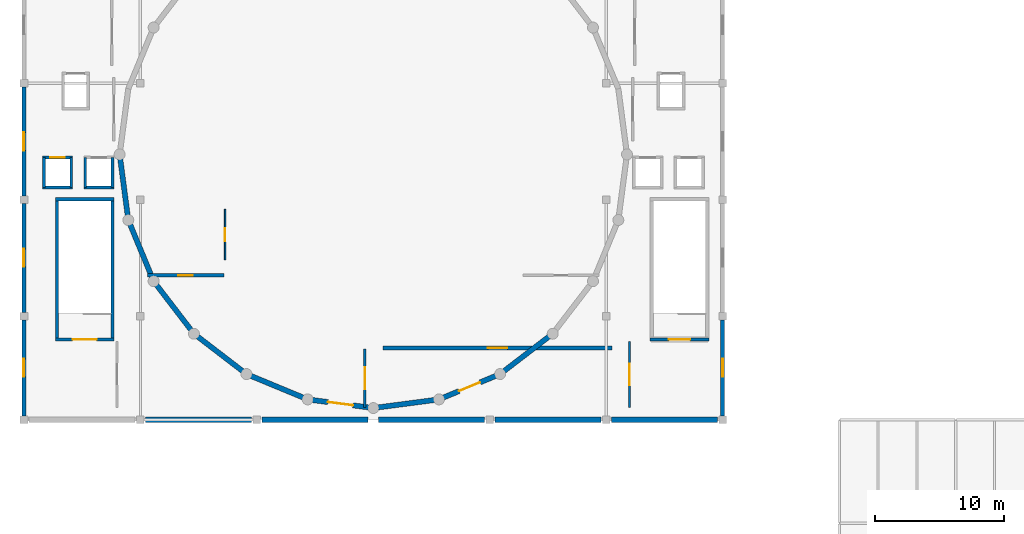
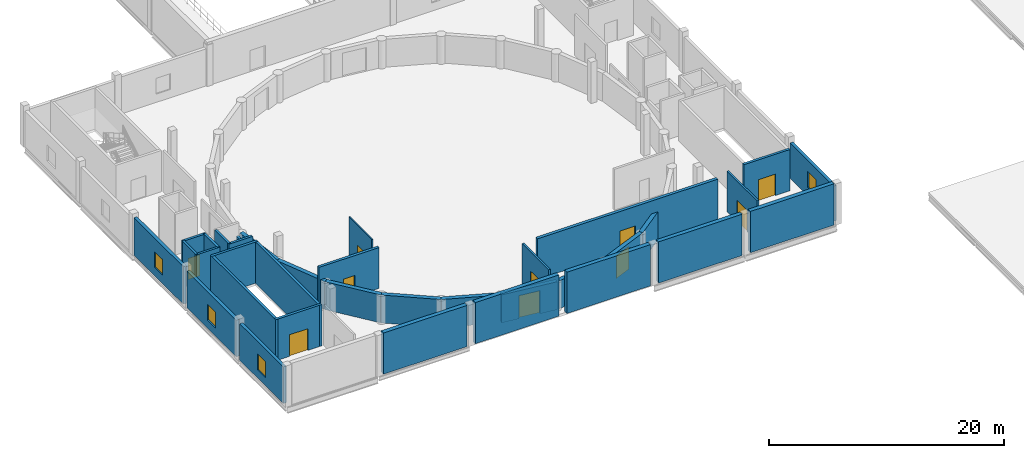
# One storey, part 4 of 10: 35 walls, 10 doors, 4 windows, 14 openings.
"""IFC4 building model written with IfcOpenShell, lengths in metres."""

from ifc_helpers import new_model, si_unit, direction, frame, frame_2d, origin, place, context, subcontext, project, spatial, rectangle, extrude, material, layer, layer_set, type_object, element, fill, save


model = new_model("IFC4")

# Units and contexts
model_context = context("Model", 3, precision=1e-05, world=origin(), true_north=direction((0.0, 1.0)))
body_context = subcontext(model_context, "Body", "Model", "MODEL_VIEW")
ifc_project = project(units=[si_unit("LENGTHUNIT", "METRE"), si_unit("AREAUNIT", "SQUARE_METRE"), si_unit("VOLUMEUNIT", "CUBIC_METRE"), si_unit("PLANEANGLEUNIT", "RADIAN"), si_unit("MASSUNIT", "GRAM", prefix="KILO")], contexts=[model_context])

# Site, building, storey
site_placement = place(None, origin())
site = spatial("IfcSite", under=ifc_project, at=site_placement, CompositionType="ELEMENT")
building_placement = place(site_placement, origin())
building = spatial("IfcBuilding", under=site, at=building_placement, Name="Marnock Terrace Opera House", CompositionType="ELEMENT")
storey_placement = place(building_placement, frame((0.0, 0.0, 23.699951171875)))
storey = spatial("IfcBuildingStorey", under=building, at=storey_placement, Name="L05", CompositionType="ELEMENT", Elevation=23.699951171875)

# Wall, opening, window
ifc_material_1 = material(Name="Basket Range sandstone ashlar masonry", Category="masonry")
ifc_layer_1 = layer(ifc_material_1, 0.31005859375)
ifc_layer_set_1 = layer_set([ifc_layer_1], Name="Basket Range sandstone ashlar masonry")
wall_type_1 = type_object("IfcWallType", Name="EW-ATTIC-310", PredefinedType="SOLIDWALL", material=ifc_layer_set_1)
wall_1_placement = place(storey_placement, frame((55.0, 40.2958984375, 0.0), z_axis=(0.0, 0.0, 1.0), x_axis=(0.0, 1.0, 0.0)))
wall_1 = element("IfcWall", 1, at=wall_1_placement, inside=storey, type_object=wall_type_1, Name="L05 Drum block W wall", PredefinedType="SOLIDWALL", context=body_context, shape_type="SweptSolid", body=[
    extrude(rectangle(XDim=7.408203125, YDim=0.31005859375, at=frame_2d((3.7041015625, 0.0))), origin(), (0.0, 0.0, 1.0), 3.792724609375),
])
opening_1_placement = place(wall_1_placement, frame((3.00390625, 0.0, 0.85009765625)))
opening_1 = element("IfcOpeningElement", 2, at=opening_1_placement, cuts=wall_1, Name="Opening WT-138", PredefinedType="OPENING", context=body_context, shape_type="SweptSolid", body=[
    extrude(rectangle(XDim=1.39990234375, YDim=1.64990234375, at=frame_2d((0.699951171875, 0.824951171875))), frame((0.0, 0.1650390625, 0.0), z_axis=(0.0, -1.0, 0.0), x_axis=(1.0, 0.0, 0.0)), (0.0, 0.0, 1.0), 0.330078125),
])
ifc_material_2 = material(Name="Double-glazed acoustic low-E laminated glass", Category="glass")
window_type = type_object("IfcWindowType", Name="WT-ATTIC-1400", PartitioningType="SINGLE_PANEL", PredefinedType="WINDOW", material=ifc_material_2)
window_1_placement = place(opening_1_placement, origin())
window_1 = element("IfcWindow", 3, at=window_1_placement, inside=storey, type_object=window_type, Name="L05 facade window EW-V1W-L05-40.1", OverallHeight=1.64990234375, OverallWidth=1.39990234375, PartitioningType="SINGLE_PANEL", PredefinedType="WINDOW", context=body_context, shape_type="SweptSolid", body=[
    extrude(rectangle(XDim=1.39990234375, YDim=1.64990234375, at=frame_2d((0.699951171875, 0.824951171875))), frame((0.0, 0.030029296875, 0.0), z_axis=(0.0, -1.0, 0.0), x_axis=(1.0, 0.0, 0.0)), (0.0, 0.0, 1.0), 0.06005859375),
])
fill(opening_1, window_1)

wall_2_placement = place(storey_placement, frame((109.0, 40.2958984375, 0.0), z_axis=(0.0, 0.0, 1.0), x_axis=(0.0, 1.0, 0.0)))
wall_2 = element("IfcWall", 4, at=wall_2_placement, inside=storey, type_object=wall_type_1, Name="L05 Drum block E wall", PredefinedType="SOLIDWALL", context=body_context, shape_type="SweptSolid", body=[
    extrude(rectangle(XDim=7.408203125, YDim=0.31005859375, at=frame_2d((3.7041015625, 0.0))), origin(), (0.0, 0.0, 1.0), 3.64794921875),
])
opening_2_placement = place(wall_2_placement, frame((3.00390625, 0.0, 0.85009765625)))
opening_2 = element("IfcOpeningElement", 5, at=opening_2_placement, cuts=wall_2, Name="Opening WT-138", PredefinedType="OPENING", context=body_context, shape_type="SweptSolid", body=[
    extrude(rectangle(XDim=1.39990234375, YDim=1.64990234375, at=frame_2d((0.699951171875, 0.824951171875))), frame((0.0, 0.1650390625, 0.0), z_axis=(0.0, -1.0, 0.0), x_axis=(1.0, 0.0, 0.0)), (0.0, 0.0, 1.0), 0.330078125),
])
window_2_placement = place(opening_2_placement, origin())
window_2 = element("IfcWindow", 6, at=window_2_placement, inside=storey, type_object=window_type, Name="L05 facade window EW-V1E-L05-40.1", OverallHeight=1.64990234375, OverallWidth=1.39990234375, PartitioningType="SINGLE_PANEL", PredefinedType="WINDOW", context=body_context, shape_type="SweptSolid", body=[
    extrude(rectangle(XDim=1.39990234375, YDim=1.64990234375, at=frame_2d((0.699951171875, 0.824951171875))), frame((0.0, 0.030029296875, 0.0), z_axis=(0.0, -1.0, 0.0), x_axis=(1.0, 0.0, 0.0)), (0.0, 0.0, 1.0), 0.06005859375),
])
fill(opening_2, window_2)

wall_3_placement = place(storey_placement, frame((55.0, 48.2958984375, 0.0), z_axis=(0.0, 0.0, 1.0), x_axis=(0.0, 1.0, 0.0)))
wall_3 = element("IfcWall", 7, at=wall_3_placement, inside=storey, type_object=wall_type_1, Name="L05 Drum block W wall", PredefinedType="SOLIDWALL", context=body_context, shape_type="SweptSolid", body=[
    extrude(rectangle(XDim=8.408203125, YDim=0.31005859375, at=frame_2d((4.2041015625, 0.0))), origin(), (0.0, 0.0, 1.0), 3.792724609375),
])
opening_3_placement = place(wall_3_placement, frame((3.50390625, 0.0, 0.85009765625)))
opening_3 = element("IfcOpeningElement", 8, at=opening_3_placement, cuts=wall_3, Name="Opening WT-138", PredefinedType="OPENING", context=body_context, shape_type="SweptSolid", body=[
    extrude(rectangle(XDim=1.39990234375, YDim=1.64990234375, at=frame_2d((0.699951171875, 0.824951171875))), frame((0.0, 0.1650390625, 0.0), z_axis=(0.0, -1.0, 0.0), x_axis=(1.0, 0.0, 0.0)), (0.0, 0.0, 1.0), 0.330078125),
])
window_3_placement = place(opening_3_placement, origin())
window_3 = element("IfcWindow", 9, at=window_3_placement, inside=storey, type_object=window_type, Name="L05 facade window EW-V1W-L05-48.1", OverallHeight=1.64990234375, OverallWidth=1.39990234375, PartitioningType="SINGLE_PANEL", PredefinedType="WINDOW", context=body_context, shape_type="SweptSolid", body=[
    extrude(rectangle(XDim=1.39990234375, YDim=1.64990234375, at=frame_2d((0.699951171875, 0.824951171875))), frame((0.0, 0.030029296875, 0.0), z_axis=(0.0, -1.0, 0.0), x_axis=(1.0, 0.0, 0.0)), (0.0, 0.0, 1.0), 0.06005859375),
])
fill(opening_3, window_3)

wall_4_placement = place(storey_placement, frame((55.0, 57.2958984375, 0.0), z_axis=(0.0, 0.0, 1.0), x_axis=(0.0, 1.0, 0.0)))
wall_4 = element("IfcWall", 10, at=wall_4_placement, inside=storey, type_object=wall_type_1, Name="L05 Drum block W wall", PredefinedType="SOLIDWALL", context=body_context, shape_type="SweptSolid", body=[
    extrude(rectangle(XDim=8.408203125, YDim=0.31005859375, at=frame_2d((4.2041015625, 0.0))), origin(), (0.0, 0.0, 1.0), 3.89453125),
])
opening_4_placement = place(wall_4_placement, frame((3.50390625, 0.0, 0.85009765625)))
opening_4 = element("IfcOpeningElement", 11, at=opening_4_placement, cuts=wall_4, Name="Opening WT-138", PredefinedType="OPENING", context=body_context, shape_type="SweptSolid", body=[
    extrude(rectangle(XDim=1.39990234375, YDim=1.64990234375, at=frame_2d((0.699951171875, 0.824951171875))), frame((0.0, 0.1650390625, 0.0), z_axis=(0.0, -1.0, 0.0), x_axis=(1.0, 0.0, 0.0)), (0.0, 0.0, 1.0), 0.330078125),
])
window_4_placement = place(opening_4_placement, origin())
window_4 = element("IfcWindow", 12, at=window_4_placement, inside=storey, type_object=window_type, Name="L05 facade window EW-V1W-L05-57.1", OverallHeight=1.64990234375, OverallWidth=1.39990234375, PartitioningType="SINGLE_PANEL", PredefinedType="WINDOW", context=body_context, shape_type="SweptSolid", body=[
    extrude(rectangle(XDim=1.39990234375, YDim=1.64990234375, at=frame_2d((0.699951171875, 0.824951171875))), frame((0.0, 0.030029296875, 0.0), z_axis=(0.0, -1.0, 0.0), x_axis=(1.0, 0.0, 0.0)), (0.0, 0.0, 1.0), 0.06005859375),
])
fill(opening_4, window_4)

# Wall, opening, door
ifc_material_3 = material(Name="Double-stud acoustic plasterboard with mineral-wool infill")
ifc_layer_2 = layer(ifc_material_3, 0.294921875)
ifc_layer_set_2 = layer_set([ifc_layer_2], Name="Double-stud acoustic plasterboard with mineral-wool infill")
wall_type_2 = type_object("IfcWallType", Name="IW-ACOUSTIC-295", PredefinedType="PARTITIONING", material=ifc_layer_set_2)
wall_5_placement = place(storey_placement, frame((82.75, 45.550048828125, 0.0), z_axis=(0.0, 0.0, 1.0), x_axis=(1.0, 0.0, 0.0)))
wall_5 = element("IfcWall", 13, at=wall_5_placement, inside=storey, type_object=wall_type_2, Name="L05 Auditorium Displacement AHU Plant Room East acoustic partition wall", PredefinedType="PARTITIONING", context=body_context, shape_type="SweptSolid", body=[
    extrude(rectangle(XDim=17.699951171875, YDim=0.294921875, at=frame_2d((8.85009765625, 0.0))), origin(), (0.0, 0.0, 1.0), 4.22998046875),
])
opening_5_placement = place(wall_5_placement, frame((8.10009765625, 0.0, 0.0)))
opening_5 = element("IfcOpeningElement", 14, at=opening_5_placement, cuts=wall_5, Name="Opening D-L05-06", PredefinedType="OPENING", context=body_context, shape_type="SweptSolid", body=[
    extrude(rectangle(XDim=1.5, YDim=2.199951171875, at=frame_2d((0.75, 1.10009765625))), frame((0.0, 0.157470703125, 0.0), z_axis=(0.0, -1.0, 0.0), x_axis=(1.0, 0.0, 0.0)), (0.0, 0.0, 1.0), 0.31494140625),
])
ifc_material_4 = material(Name="Fire-rated acoustic timber-core door assembly", Category="wood")
door_type_1 = type_object("IfcDoorType", Name="DT-PLANT-1500", OperationType="NOTDEFINED", PredefinedType="DOOR", material=ifc_material_4)
door_1_placement = place(opening_5_placement, origin())
door_1 = element("IfcDoor", 15, at=door_1_placement, inside=storey, type_object=door_type_1, Name="L05 Auditorium Displacement AHU Plant Room East entrance door", OperationType="SINGLE_SWING_RIGHT", OverallHeight=2.199951171875, OverallWidth=1.5, PredefinedType="DOOR", context=body_context, shape_type="SweptSolid", body=[
    extrude(rectangle(XDim=1.5, YDim=2.199951171875, at=frame_2d((0.75, 1.10009765625))), frame((0.0, 0.02490234375, 0.0), z_axis=(0.0, -1.0, 0.0), x_axis=(1.0, 0.0, 0.0)), (0.0, 0.0, 1.0), 0.050048828125),
])
fill(opening_5, door_1)

ifc_material_5 = material(Name="Rendered acoustic concrete blockwork", Category="masonry")
ifc_layer_3 = layer(ifc_material_5, 0.18505859375)
ifc_layer_set_3 = layer_set([ifc_layer_3], Name="Rendered acoustic concrete blockwork")
wall_type_3 = type_object("IfcWallType", Name="IW-FIRE-185", PredefinedType="PARTITIONING", material=ifc_layer_set_3)
wall_6_placement = place(storey_placement, frame((101.800048828125, 40.949951171875, 0.0), z_axis=(0.0, 0.0, 1.0), x_axis=(0.0, 1.0, 0.0)))
wall_6 = element("IfcWall", 16, at=wall_6_placement, inside=storey, type_object=wall_type_3, Name="L05 C2 fire-rated lift and stair lobby wall", PredefinedType="PARTITIONING", context=body_context, shape_type="SweptSolid", body=[
    extrude(rectangle(XDim=5.10009765625, YDim=0.18505859375, at=frame_2d((2.550048828125, 0.0))), origin(), (0.0, 0.0, 1.0), 4.22998046875),
])
opening_6_placement = place(wall_6_placement, frame((1.7099609375, 0.0, 0.0)))
opening_6 = element("IfcOpeningElement", 17, at=opening_6_placement, cuts=wall_6, Name="Opening FD-C2-L05", PredefinedType="OPENING", context=body_context, shape_type="SweptSolid", body=[
    extrude(rectangle(XDim=1.679931640625, YDim=2.25, at=frame_2d((0.83984375, 1.125))), frame((0.0, 0.1025390625, 0.0), z_axis=(0.0, -1.0, 0.0), x_axis=(1.0, 0.0, 0.0)), (0.0, 0.0, 1.0), 0.205078125),
])
door_type_2 = type_object("IfcDoorType", Name="DT-LOBBY-1680", OperationType="NOTDEFINED", PredefinedType="DOOR", material=ifc_material_4)
door_2_placement = place(opening_6_placement, origin())
door_2 = element("IfcDoor", 18, at=door_2_placement, inside=storey, type_object=door_type_2, Name="L05 C2 lobby self-closing smoke door", OperationType="SINGLE_SWING_RIGHT", OverallHeight=2.25, OverallWidth=1.679931640625, PredefinedType="DOOR", context=body_context, shape_type="SweptSolid", body=[
    extrude(rectangle(XDim=1.679931640625, YDim=2.25, at=frame_2d((0.83984375, 1.125))), frame((0.0, 0.02490234375, 0.0), z_axis=(0.0, -1.0, 0.0), x_axis=(1.0, 0.0, 0.0)), (0.0, 0.0, 1.0), 0.050048828125),
])
fill(opening_6, door_2)

wall_7_placement = place(storey_placement, frame((81.35009765625, 40.949951171875, 0.0), z_axis=(0.0, 0.0, 1.0), x_axis=(0.0, 1.0, 0.0)))
wall_7 = element("IfcWall", 19, at=wall_7_placement, inside=storey, type_object=wall_type_3, Name="L05 Auditorium Displacement AHU Plant Room West acoustic partition wall", PredefinedType="PARTITIONING", context=body_context, shape_type="SweptSolid", body=[
    extrude(rectangle(XDim=4.5, YDim=0.18505859375, at=frame_2d((2.25, 0.0))), origin(), (0.0, 0.0, 1.0), 4.22998046875),
])
opening_7_placement = place(wall_7_placement, frame((1.39990234375, 0.0, 0.0)))
opening_7 = element("IfcOpeningElement", 20, at=opening_7_placement, cuts=wall_7, Name="Opening D-L05-05", PredefinedType="OPENING", context=body_context, shape_type="SweptSolid", body=[
    extrude(rectangle(XDim=1.699951171875, YDim=2.25, at=frame_2d((0.85009765625, 1.125))), frame((0.0, 0.1025390625, 0.0), z_axis=(0.0, -1.0, 0.0), x_axis=(1.0, 0.0, 0.0)), (0.0, 0.0, 1.0), 0.205078125),
])
door_type_3 = type_object("IfcDoorType", Name="DT-PLANT-1700", OperationType="NOTDEFINED", PredefinedType="DOOR", material=ifc_material_4)
door_3_placement = place(opening_7_placement, origin())
door_3 = element("IfcDoor", 21, at=door_3_placement, inside=storey, type_object=door_type_3, Name="L05 Auditorium Displacement AHU Plant Room West entrance door", OperationType="SINGLE_SWING_LEFT", OverallHeight=2.25, OverallWidth=1.699951171875, PredefinedType="DOOR", context=body_context, shape_type="SweptSolid", body=[
    extrude(rectangle(XDim=1.699951171875, YDim=2.25, at=frame_2d((0.85009765625, 1.125))), frame((0.0, 0.02490234375, 0.0), z_axis=(0.0, -1.0, 0.0), x_axis=(1.0, 0.0, 0.0)), (0.0, 0.0, 1.0), 0.050048828125),
])
fill(opening_7, door_3)

ifc_layer_4 = layer(ifc_material_3, 0.1279296875)
ifc_layer_set_4 = layer_set([ifc_layer_4], Name="Double-stud acoustic plasterboard with mineral-wool infill")
wall_type_4 = type_object("IfcWallType", Name="IW-PART-128", PredefinedType="PARTITIONING", material=ifc_layer_set_4)
wall_8_placement = place(storey_placement, frame((70.550048828125, 52.35009765625, 0.0), z_axis=(0.0, 0.0, 1.0), x_axis=(0.0, 1.0, 0.0)))
wall_8 = element("IfcWall", 22, at=wall_8_placement, inside=storey, type_object=wall_type_4, Name="L05 Rigging Technicians Instrument Store acoustic partition wall", PredefinedType="PARTITIONING", context=body_context, shape_type="SweptSolid", body=[
    extrude(rectangle(XDim=3.89990234375, YDim=0.1279296875, at=frame_2d((1.949951171875, 0.0))), origin(), (0.0, 0.0, 1.0), 4.22998046875),
])
opening_8_placement = place(wall_8_placement, frame((1.449951171875, 0.0, 0.0)))
opening_8 = element("IfcOpeningElement", 23, at=opening_8_placement, cuts=wall_8, Name="Opening D-L05-08", PredefinedType="OPENING", context=body_context, shape_type="SweptSolid", body=[
    extrude(rectangle(XDim=1.0, YDim=2.14990234375, at=frame_2d((0.5, 1.074951171875))), frame((0.0, 0.073974609375, 0.0), z_axis=(0.0, -1.0, 0.0), x_axis=(1.0, 0.0, 0.0)), (0.0, 0.0, 1.0), 0.14794921875),
])
ifc_material_6 = material(Name="Solid-core Tasmanian oak acoustic door leaf")
door_type_4 = type_object("IfcDoorType", Name="DT-ROOM-1000", OperationType="NOTDEFINED", PredefinedType="DOOR", material=ifc_material_6)
door_4_placement = place(opening_8_placement, origin())
door_4 = element("IfcDoor", 24, at=door_4_placement, inside=storey, type_object=door_type_4, Name="L05 Rigging Technicians Instrument Store entrance door", OperationType="SINGLE_SWING_LEFT", OverallHeight=2.14990234375, OverallWidth=1.0, PredefinedType="DOOR", context=body_context, shape_type="SweptSolid", body=[
    extrude(rectangle(XDim=1.0, YDim=2.14990234375, at=frame_2d((0.5, 1.074951171875))), frame((0.0, 0.02490234375, 0.0), z_axis=(0.0, -1.0, 0.0), x_axis=(1.0, 0.0, 0.0)), (0.0, 0.0, 1.0), 0.050048828125),
])
fill(opening_8, door_4)

ifc_material_7 = material(Name="Moisture-resistant tiled service duct framing")
ifc_layer_5 = layer(ifc_material_7, 0.264892578125)
ifc_layer_set_5 = layer_set([ifc_layer_5], Name="Moisture-resistant tiled service duct framing")
wall_type_5 = type_object("IfcWallType", Name="IW-PLUMB-265", PredefinedType="PLUMBINGWALL", material=ifc_layer_set_5)
wall_9_placement = place(storey_placement, frame((64.550048828125, 51.14990234375, 0.0), z_axis=(0.0, 0.0, 1.0), x_axis=(1.0, 0.0, 0.0)))
wall_9 = element("IfcWall", 25, at=wall_9_placement, inside=storey, type_object=wall_type_5, Name="L05 Accessible WC L05 Drum acoustic partition wall", PredefinedType="PLUMBINGWALL", context=body_context, shape_type="SweptSolid", body=[
    extrude(rectangle(XDim=5.89990234375, YDim=0.264892578125, at=frame_2d((2.949951171875, 0.0))), origin(), (0.0, 0.0, 1.0), 4.22998046875),
])
opening_9_placement = place(wall_9_placement, frame((2.389892578125, 0.0, 0.0)))
opening_9 = element("IfcOpeningElement", 26, at=opening_9_placement, cuts=wall_9, Name="Opening D-L05-09", PredefinedType="OPENING", context=body_context, shape_type="SweptSolid", body=[
    extrude(rectangle(XDim=1.1201171875, YDim=2.159912109375, at=frame_2d((0.56005859375, 1.080078125))), frame((0.0, 0.142333984375, 0.0), z_axis=(0.0, -1.0, 0.0), x_axis=(1.0, 0.0, 0.0)), (0.0, 0.0, 1.0), 0.284912109375),
])
door_type_5 = type_object("IfcDoorType", Name="DT-ACCWC-1120", OperationType="NOTDEFINED", PredefinedType="DOOR", material=ifc_material_6)
door_5_placement = place(opening_9_placement, origin())
door_5 = element("IfcDoor", 27, at=door_5_placement, inside=storey, type_object=door_type_5, Name="L05 Accessible WC L05 Drum entrance door", OperationType="SINGLE_SWING_RIGHT", OverallHeight=2.159912109375, OverallWidth=1.1201171875, PredefinedType="DOOR", context=body_context, shape_type="SweptSolid", body=[
    extrude(rectangle(XDim=1.1201171875, YDim=2.159912109375, at=frame_2d((0.56005859375, 1.080078125))), frame((0.0, 0.02490234375, 0.0), z_axis=(0.0, -1.0, 0.0), x_axis=(1.0, 0.0, 0.0)), (0.0, 0.0, 1.0), 0.050048828125),
])
fill(opening_9, door_5)

ifc_layer_6 = layer(ifc_material_5, 0.22509765625)
ifc_layer_set_6 = layer_set([ifc_layer_6], Name="Rendered acoustic concrete blockwork")
wall_type_6 = type_object("IfcWallType", Name="IW-SHAFT-225", PredefinedType="SOLIDWALL", material=ifc_layer_set_6)
wall_10_placement = place(storey_placement, frame((56.427490234375, 60.260009765625, 0.0), z_axis=(0.0, 0.0, 1.0), x_axis=(1.0, 0.0, 0.0)))
wall_10 = element("IfcWall", 28, at=wall_10_placement, inside=storey, type_object=wall_type_6, Name="L05 Lift PL-01 front shaft wall", PredefinedType="SOLIDWALL", context=body_context, shape_type="SweptSolid", body=[
    extrude(rectangle(XDim=2.344970703125, YDim=0.22509765625, at=frame_2d((1.17236328125, 0.0))), origin(), (0.0, 0.0, 1.0), 4.22998046875),
])
opening_10_placement = place(wall_10_placement, frame((0.597412109375, 0.0, 0.0)))
opening_10 = element("IfcOpeningElement", 29, at=opening_10_placement, cuts=wall_10, Name="Opening LD-PL-01-L05", PredefinedType="OPENING", context=body_context, shape_type="SweptSolid", body=[
    extrude(rectangle(XDim=1.14990234375, YDim=2.199951171875, at=frame_2d((0.574951171875, 1.10009765625))), frame((0.0, 0.12255859375, 0.0), z_axis=(0.0, -1.0, 0.0), x_axis=(1.0, 0.0, 0.0)), (0.0, 0.0, 1.0), 0.2451171875),
])
ifc_material_8 = material(Name="Brushed stainless steel landing door assembly", Category="steel")
door_type_6 = type_object("IfcDoorType", Name="DT-LIFT-1150", OperationType="NOTDEFINED", PredefinedType="DOOR", material=ifc_material_8)
door_6_placement = place(opening_10_placement, origin())
door_6 = element("IfcDoor", 30, at=door_6_placement, inside=storey, type_object=door_type_6, Name="L05 Lift PL-01 sliding landing door", OperationType="DOUBLE_DOOR_SLIDING", OverallHeight=2.199951171875, OverallWidth=1.14990234375, PredefinedType="DOOR", context=body_context, shape_type="SweptSolid", body=[
    extrude(rectangle(XDim=1.14990234375, YDim=2.199951171875, at=frame_2d((0.574951171875, 1.10009765625))), frame((0.0, 0.02490234375, 0.0), z_axis=(0.0, -1.0, 0.0), x_axis=(1.0, 0.0, 0.0)), (0.0, 0.0, 1.0), 0.050048828125),
])
fill(opening_10, door_6)

# Walls
wall_11_placement = place(storey_placement, frame((56.427490234375, 57.93994140625, 0.0), z_axis=(0.0, 0.0, 1.0), x_axis=(1.0, 0.0, 0.0)))
element("IfcWall", 31, at=wall_11_placement, inside=storey, type_object=wall_type_6, Name="L05 Lift PL-01 rear shaft wall", PredefinedType="SOLIDWALL", context=body_context, shape_type="SweptSolid", body=[
    extrude(rectangle(XDim=2.344970703125, YDim=0.22509765625, at=frame_2d((1.17236328125, 0.0))), origin(), (0.0, 0.0, 1.0), 4.22998046875),
])
for number, where, z_axis, x_axis, name in (
    (32, (56.5400390625, 57.93994140625, 0.0), (0.0, 0.0, 1.0), (0.0, 1.0, 0.0), "L05 Lift PL-01 west shaft wall"),
    (33, (58.659912109375, 57.93994140625, 0.0), (0.0, 0.0, 1.0), (0.0, 1.0, 0.0), "L05 Lift PL-01 east shaft wall"),
):
    element("IfcWall", number, at=place(storey_placement, frame(where, z_axis=z_axis, x_axis=x_axis)), inside=storey, type_object=wall_type_6, Name=name, PredefinedType="SOLIDWALL", context=body_context, shape_type="SweptSolid", body=[
        extrude(rectangle(XDim=2.320068359375, YDim=0.22509765625, at=frame_2d((1.16015625, 0.0))), origin(), (0.0, 0.0, 1.0), 4.22998046875),
    ])
wall_12_placement = place(storey_placement, frame((59.62744140625, 57.93994140625, 0.0), z_axis=(0.0, 0.0, 1.0), x_axis=(1.0, 0.0, 0.0)))
element("IfcWall", 34, at=wall_12_placement, inside=storey, type_object=wall_type_6, Name="L05 Lift PL-02 rear shaft wall", PredefinedType="SOLIDWALL", context=body_context, shape_type="SweptSolid", body=[
    extrude(rectangle(XDim=2.344970703125, YDim=0.22509765625, at=frame_2d((1.17236328125, 0.0))), origin(), (0.0, 0.0, 1.0), 4.22998046875),
])
wall_13_placement = place(storey_placement, frame((59.739990234375, 57.93994140625, 0.0), z_axis=(0.0, 0.0, 1.0), x_axis=(0.0, 1.0, 0.0)))
element("IfcWall", 35, at=wall_13_placement, inside=storey, type_object=wall_type_6, Name="L05 Lift PL-02 west shaft wall", PredefinedType="SOLIDWALL", context=body_context, shape_type="SweptSolid", body=[
    extrude(rectangle(XDim=2.320068359375, YDim=0.22509765625, at=frame_2d((1.16015625, 0.0))), origin(), (0.0, 0.0, 1.0), 4.22998046875),
])
wall_14_placement = place(storey_placement, frame((61.860107421875, 57.93994140625, 0.0), z_axis=(0.0, 0.0, 1.0), x_axis=(0.0, 1.0, 0.0)))
element("IfcWall", 36, at=wall_14_placement, inside=storey, type_object=wall_type_6, Name="L05 Lift PL-02 east shaft wall", PredefinedType="SOLIDWALL", context=body_context, shape_type="SweptSolid", body=[
    extrude(rectangle(XDim=2.320068359375, YDim=0.22509765625, at=frame_2d((1.16015625, 0.0))), origin(), (0.0, 0.0, 1.0), 2.8701171875),
])

# Wall, opening, door
ifc_material_9 = material(Name="Concrete N40 (f'c = 40 MPa)", Category="concrete")
ifc_layer_7 = layer(ifc_material_9, 0.25)
ifc_layer_set_7 = layer_set([ifc_layer_7], Name="Concrete N40 (f'c = 40 MPa)")
wall_type_7 = type_object("IfcWallType", Name="SW-CORE-250", PredefinedType="SHEAR", material=ifc_layer_set_7)
wall_15_placement = place(storey_placement, frame((57.43505859375, 46.199951171875, 0.0), z_axis=(0.0, 0.0, 1.0), x_axis=(1.0, 0.0, 0.0)))
wall_15 = element("IfcWall", 37, at=wall_15_placement, inside=storey, type_object=wall_type_7, Name="L05 Core C1 FRL 120/120/120 shear wall S", PredefinedType="SHEAR", context=body_context, shape_type="SweptSolid", body=[
    extrude(rectangle(XDim=4.530029296875, YDim=0.25, at=frame_2d((2.26513671875, 0.0))), origin(), (0.0, 0.0, 1.0), 4.280029296875),
])
opening_11_placement = place(wall_15_placement, frame((1.340087890625, 0.0, 0.0)))
opening_11 = element("IfcOpeningElement", 38, at=opening_11_placement, cuts=wall_15, Name="Opening SD-C1-L05", PredefinedType="OPENING", context=body_context, shape_type="SweptSolid", body=[
    extrude(rectangle(XDim=1.85009765625, YDim=2.25, at=frame_2d((0.925048828125, 1.125))), frame((0.0, 0.135009765625, 0.0), z_axis=(0.0, -1.0, 0.0), x_axis=(1.0, 0.0, 0.0)), (0.0, 0.0, 1.0), 0.27001953125),
])
door_type_7 = type_object("IfcDoorType", Name="DT-STAIR-1850", OperationType="NOTDEFINED", PredefinedType="DOOR", material=ifc_material_4)
door_7_placement = place(opening_11_placement, origin())
door_7 = element("IfcDoor", 39, at=door_7_placement, inside=storey, type_object=door_type_7, Name="L05 Stair ST-01 fire-isolated exit door", OperationType="SINGLE_SWING_LEFT", OverallHeight=2.25, OverallWidth=1.85009765625, PredefinedType="DOOR", context=body_context, shape_type="SweptSolid", body=[
    extrude(rectangle(XDim=1.85009765625, YDim=2.25, at=frame_2d((0.925048828125, 1.125))), frame((0.0, 0.02490234375, 0.0), z_axis=(0.0, -1.0, 0.0), x_axis=(1.0, 0.0, 0.0)), (0.0, 0.0, 1.0), 0.050048828125),
])
fill(opening_11, door_7)

# Walls
wall_16_placement = place(storey_placement, frame((57.43505859375, 57.0400390625, 0.0), z_axis=(0.0, 0.0, 1.0), x_axis=(1.0, 0.0, 0.0)))
element("IfcWall", 40, at=wall_16_placement, inside=storey, type_object=wall_type_7, Name="L05 Core C1 FRL 120/120/120 shear wall N", PredefinedType="SHEAR", context=body_context, shape_type="SweptSolid", body=[
    extrude(rectangle(XDim=4.530029296875, YDim=0.25, at=frame_2d((2.26513671875, 0.0))), origin(), (0.0, 0.0, 1.0), 4.280029296875),
])
for number, where, z_axis, x_axis, name in (
    (41, (57.56005859375, 46.074951171875, 0.0), (0.0, 0.0, 1.0), (0.0, 1.0, 0.0), "L05 Core C1 FRL 120/120/120 shear wall W"),
    (42, (61.840087890625, 46.074951171875, 0.0), (0.0, 0.0, 1.0), (0.0, 1.0, 0.0), "L05 Core C1 FRL 120/120/120 shear wall E"),
):
    element("IfcWall", number, at=place(storey_placement, frame(where, z_axis=z_axis, x_axis=x_axis)), inside=storey, type_object=wall_type_7, Name=name, PredefinedType="SHEAR", context=body_context, shape_type="SweptSolid", body=[
        extrude(rectangle(XDim=11.090087890625, YDim=0.25, at=frame_2d((5.544921875, 0.0))), origin(), (0.0, 0.0, 1.0), 4.280029296875),
    ])

# Wall, opening, door
wall_17_placement = place(storey_placement, frame((103.39501953125, 46.199951171875, 0.0), z_axis=(0.0, 0.0, 1.0), x_axis=(1.0, 0.0, 0.0)))
wall_17 = element("IfcWall", 43, at=wall_17_placement, inside=storey, type_object=wall_type_7, Name="L05 Core C2 FRL 120/120/120 shear wall S", PredefinedType="SHEAR", context=body_context, shape_type="SweptSolid", body=[
    extrude(rectangle(XDim=4.530029296875, YDim=0.25, at=frame_2d((2.26513671875, 0.0))), origin(), (0.0, 0.0, 1.0), 4.280029296875),
])
opening_12_placement = place(wall_17_placement, frame((1.43994140625, 0.0, 0.0)))
opening_12 = element("IfcOpeningElement", 44, at=opening_12_placement, cuts=wall_17, Name="Opening SD-C2-L05", PredefinedType="OPENING", context=body_context, shape_type="SweptSolid", body=[
    extrude(rectangle(XDim=1.64990234375, YDim=2.219970703125, at=frame_2d((0.824951171875, 1.10986328125))), frame((0.0, 0.135009765625, 0.0), z_axis=(0.0, -1.0, 0.0), x_axis=(1.0, 0.0, 0.0)), (0.0, 0.0, 1.0), 0.27001953125),
])
door_type_8 = type_object("IfcDoorType", Name="DT-STAIR-1650", OperationType="NOTDEFINED", PredefinedType="DOOR", material=ifc_material_4)
door_8_placement = place(opening_12_placement, origin())
door_8 = element("IfcDoor", 45, at=door_8_placement, inside=storey, type_object=door_type_8, Name="L05 Stair ST-02 fire-isolated exit door", OperationType="SINGLE_SWING_LEFT", OverallHeight=2.219970703125, OverallWidth=1.64990234375, PredefinedType="DOOR", context=body_context, shape_type="SweptSolid", body=[
    extrude(rectangle(XDim=1.64990234375, YDim=2.219970703125, at=frame_2d((0.824951171875, 1.10986328125))), frame((0.0, 0.02490234375, 0.0), z_axis=(0.0, -1.0, 0.0), x_axis=(1.0, 0.0, 0.0)), (0.0, 0.0, 1.0), 0.050048828125),
])
fill(opening_12, door_8)

# Walls
ifc_material_10 = material(Name="Concrete N50 (f'c = 50 MPa)", Category="concrete")
ifc_layer_8 = layer(ifc_material_10, 0.39990234375)
ifc_layer_set_8 = layer_set([ifc_layer_8], Name="Concrete N50 (f'c = 50 MPa)")
wall_type_8 = type_object("IfcWallType", Name="SW-DRUM-400", PredefinedType="SHEAR", material=ifc_layer_set_8)
wall_18_placement = place(storey_placement, frame((62.39990234375, 60.5, 0.0), z_axis=(0.0, 0.0, 1.0), x_axis=(0.130591512704, -0.99143625958, 0.0)))
element("IfcWall", 46, at=wall_18_placement, inside=storey, type_object=wall_type_8, Name="L05 cylindrical auditorium drum shear wall 13", PredefinedType="SHEAR", context=body_context, shape_type="SweptSolid", body=[
    extrude(rectangle(XDim=5.11669921875, YDim=0.39990234375, at=frame_2d((2.558349609375, 0.0))), origin(), (0.0, 0.0, 1.0), 2.900146484375),
])
for number, where, z_axis, x_axis, name in (
    (47, (63.068115234375, 55.427001953125, 0.0), (0.0, 0.0, 1.0), (0.382642581018, -0.923896452635, 0.0), "L05 cylindrical auditorium drum shear wall 14"),
    (48, (65.02587890625, 50.699951171875, 0.0), (0.0, 0.0, 1.0), (0.608857194409, -0.793279847731, 0.0), "L05 cylindrical auditorium drum shear wall 15"),
    (49, (68.14111328125, 46.64111328125, 0.0), (0.0, 0.0, 1.0), (0.793279847731, -0.608857194409, 0.0), "L05 cylindrical auditorium drum shear wall 16"),
    (50, (72.199951171875, 43.52587890625, 0.0), (0.0, 0.0, 1.0), (0.923896452635, -0.382642581018, 0.0), "L05 cylindrical auditorium drum shear wall 17"),
):
    element("IfcWall", number, at=place(storey_placement, frame(where, z_axis=z_axis, x_axis=x_axis)), inside=storey, type_object=wall_type_8, Name=name, PredefinedType="SHEAR", context=body_context, shape_type="SweptSolid", body=[
        extrude(rectangle(XDim=5.116455078125, YDim=0.39990234375, at=frame_2d((2.55810546875, 0.0))), origin(), (0.0, 0.0, 1.0), 2.900146484375),
    ])

# Wall, opening, door
wall_19_placement = place(storey_placement, frame((76.927001953125, 41.568115234375, 0.0), z_axis=(0.0, 0.0, 1.0), x_axis=(0.99143625958, -0.130591512704, 0.0)))
wall_19 = element("IfcWall", 51, at=wall_19_placement, inside=storey, type_object=wall_type_8, Name="L05 cylindrical auditorium drum shear wall 18", PredefinedType="SHEAR", context=body_context, shape_type="SweptSolid", body=[
    extrude(rectangle(XDim=5.11669921875, YDim=0.39990234375, at=frame_2d((2.558349609375, 0.0))), origin(), (0.0, 0.0, 1.0), 2.900146484375),
])
opening_13_placement = place(wall_19_placement, frame((1.58349609375, 0.0, 0.0)))
opening_13 = element("IfcOpeningElement", 52, at=opening_13_placement, cuts=wall_19, Name="Opening AD-L05-17", PredefinedType="OPENING", context=body_context, shape_type="SweptSolid", body=[
    extrude(rectangle(XDim=1.949951171875, YDim=2.39990234375, at=frame_2d((0.97509765625, 1.199951171875))), frame((0.0, 0.2099609375, 0.0), z_axis=(0.0, -1.0, 0.0), x_axis=(1.0, 0.0, 0.0)), (0.0, 0.0, 1.0), 0.419921875),
])
door_type_9 = type_object("IfcDoorType", Name="DT-AUD-1950", OperationType="NOTDEFINED", PredefinedType="DOOR", material=ifc_material_6)
door_9_placement = place(opening_13_placement, origin())
door_9 = element("IfcDoor", 53, at=door_9_placement, inside=storey, type_object=door_type_9, Name="L05 Auditorium sound-lock double door 17", OperationType="DOUBLE_DOOR_SINGLE_SWING", OverallHeight=2.39990234375, OverallWidth=1.949951171875, PredefinedType="DOOR", context=body_context, shape_type="SweptSolid", body=[
    extrude(rectangle(XDim=1.949951171875, YDim=2.39990234375, at=frame_2d((0.97509765625, 1.199951171875))), frame((0.0, 0.02490234375, 0.0), z_axis=(0.0, -1.0, 0.0), x_axis=(1.0, 0.0, 0.0)), (0.0, 0.0, 1.0), 0.050048828125),
])
fill(opening_13, door_9)

# Wall
wall_20_placement = place(storey_placement, frame((82.0, 40.89990234375, 0.0), z_axis=(0.0, 0.0, 1.0), x_axis=(0.99143625958, 0.130591512704, 0.0)))
element("IfcWall", 54, at=wall_20_placement, inside=storey, type_object=wall_type_8, Name="L05 cylindrical auditorium drum shear wall 19", PredefinedType="SHEAR", context=body_context, shape_type="SweptSolid", body=[
    extrude(rectangle(XDim=5.11669921875, YDim=0.39990234375, at=frame_2d((2.558349609375, 0.0))), origin(), (0.0, 0.0, 1.0), 2.900146484375),
])

# Wall, opening, door
wall_21_placement = place(storey_placement, frame((87.072998046875, 41.568115234375, 0.0), z_axis=(0.0, 0.0, 1.0), x_axis=(0.923896452635, 0.382642581018, 0.0)))
wall_21 = element("IfcWall", 55, at=wall_21_placement, inside=storey, type_object=wall_type_8, Name="L05 cylindrical auditorium drum shear wall 20", PredefinedType="SHEAR", context=body_context, shape_type="SweptSolid", body=[
    extrude(rectangle(XDim=5.116455078125, YDim=0.39990234375, at=frame_2d((2.55810546875, 0.0))), origin(), (0.0, 0.0, 1.0), 2.900146484375),
])
opening_14_placement = place(wall_21_placement, frame((1.68310546875, 0.0, 0.0)))
opening_14 = element("IfcOpeningElement", 56, at=opening_14_placement, cuts=wall_21, Name="Opening AD-L05-19", PredefinedType="OPENING", context=body_context, shape_type="SweptSolid", body=[
    extrude(rectangle(XDim=1.75, YDim=2.35009765625, at=frame_2d((0.875, 1.175048828125))), frame((0.0, 0.2099609375, 0.0), z_axis=(0.0, -1.0, 0.0), x_axis=(1.0, 0.0, 0.0)), (0.0, 0.0, 1.0), 0.419921875),
])
door_type_10 = type_object("IfcDoorType", Name="DT-AUD-1750", OperationType="NOTDEFINED", PredefinedType="DOOR", material=ifc_material_6)
door_10_placement = place(opening_14_placement, origin())
door_10 = element("IfcDoor", 57, at=door_10_placement, inside=storey, type_object=door_type_10, Name="L05 Auditorium sound-lock double door 19", OperationType="DOUBLE_DOOR_SINGLE_SWING", OverallHeight=2.35009765625, OverallWidth=1.75, PredefinedType="DOOR", context=body_context, shape_type="SweptSolid", body=[
    extrude(rectangle(XDim=1.75, YDim=2.35009765625, at=frame_2d((0.875, 1.175048828125))), frame((0.0, 0.02490234375, 0.0), z_axis=(0.0, -1.0, 0.0), x_axis=(1.0, 0.0, 0.0)), (0.0, 0.0, 1.0), 0.050048828125),
])
fill(opening_14, door_10)

# Walls
wall_22_placement = place(storey_placement, frame((91.800048828125, 43.52587890625, 0.0), z_axis=(0.0, 0.0, 1.0), x_axis=(0.793279847731, 0.608857194409, 0.0)))
element("IfcWall", 58, at=wall_22_placement, inside=storey, type_object=wall_type_8, Name="L05 cylindrical auditorium drum shear wall 21", PredefinedType="SHEAR", context=body_context, shape_type="SweptSolid", body=[
    extrude(rectangle(XDim=5.116455078125, YDim=0.39990234375, at=frame_2d((2.55810546875, 0.0))), origin(), (0.0, 0.0, 1.0), 2.900146484375),
])
for number, where, z_axis, x_axis, name in (
    (59, (64.39990234375, 40.0, 0.0), (0.0, 0.0, 1.0), (1.0, 0.0, 0.0), "L05 Drum block south structural diaphragm wall"),
    (60, (73.39990234375, 40.0, 0.0), (0.0, 0.0, 1.0), (1.0, 0.0, 0.0), "L05 Drum block south structural diaphragm wall"),
    (61, (82.39990234375, 40.0, 0.0), (0.0, 0.0, 1.0), (1.0, 0.0, 0.0), "L05 Drum block south structural diaphragm wall"),
    (62, (91.39990234375, 40.0, 0.0), (0.0, 0.0, 1.0), (1.0, 0.0, 0.0), "L05 Drum block south structural diaphragm wall"),
    (63, (100.39990234375, 40.0, 0.0), (0.0, 0.0, 1.0), (1.0, 0.0, 0.0), "L05 Drum block south structural diaphragm wall"),
):
    element("IfcWall", number, at=place(storey_placement, frame(where, z_axis=z_axis, x_axis=x_axis)), inside=storey, type_object=wall_type_8, Name=name, PredefinedType="SHEAR", context=body_context, shape_type="SweptSolid", body=[
        extrude(rectangle(XDim=8.2001953125, YDim=0.39990234375, at=frame_2d((4.10009765625, 0.0))), origin(), (0.0, 0.0, 1.0), 4.280029296875),
    ])

save(model, "model.ifc")
